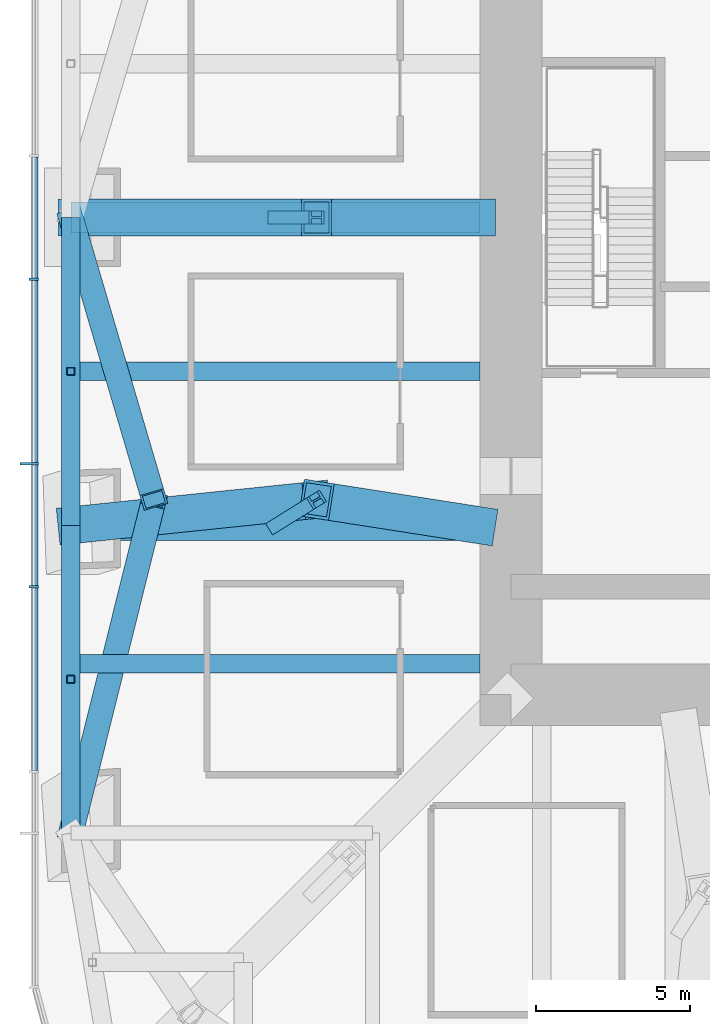
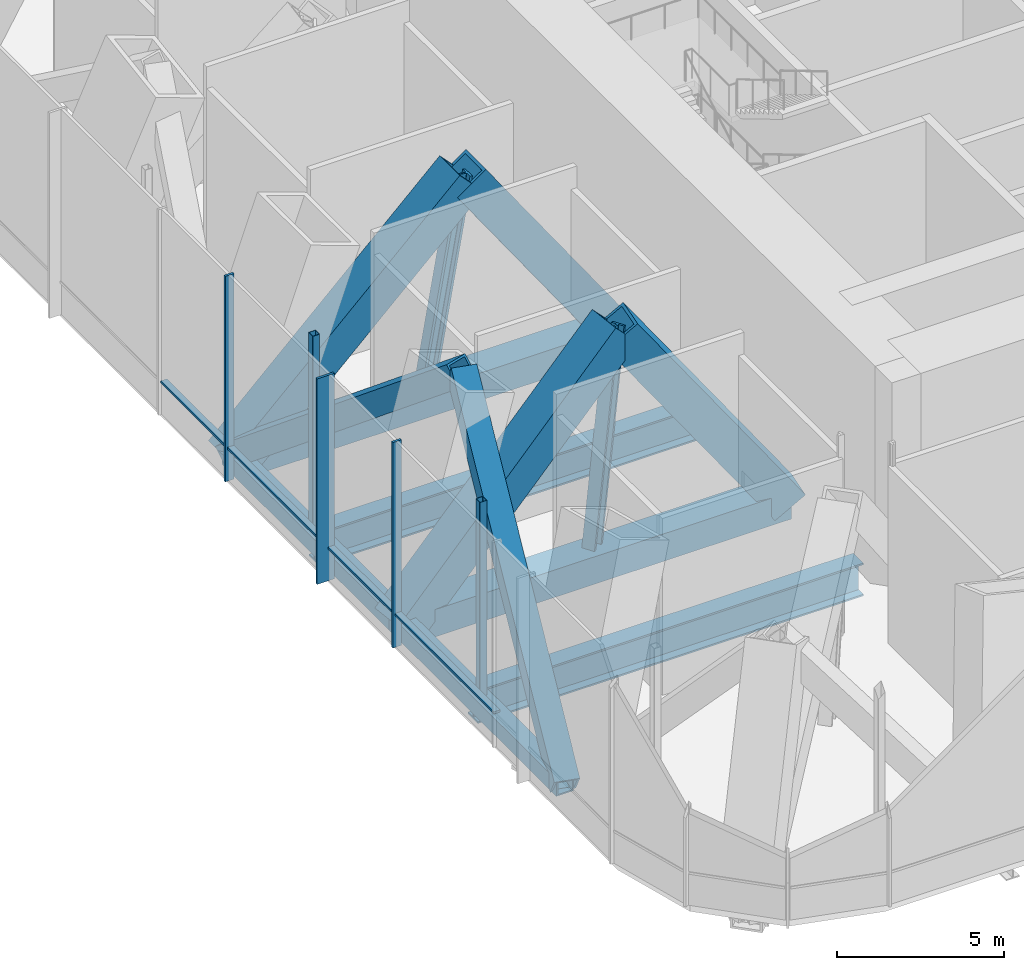
# One storey, part 3 of 20: 21 members, 2 beams, 1 element without a shape of its own.
"""IFC4 building model written with IfcOpenShell, lengths in metres."""

import ifcopenshell
import ifcopenshell.guid

model = None  # the IFC model being written
_history = None  # IfcOwnerHistory: only IFC2X3 demands one
_inside = {}  # id of a spatial element -> (the spatial element, [elements in it])
_under = {}  # id of a project, library or spatial element -> (it, [spatial elements below it])
_declared = {}  # id of a project -> (the project, [libraries it declares])
_typed = {}  # id of a type object -> (the type object, [elements of that type])
_made_of = {}  # id of a material, layer set ... -> (it, [elements and type objects made of it])


def new_model(schema):
    """Start an empty IFC model of exactly this schema.

    Asked for "IFC4X3", IfcOpenShell would pick the latest addendum, in which some entities
    have other attributes; the version numbers below select the first issue.
    IFC2X3 requires an IfcOwnerHistory on every rooted entity: one is made here for all.
    """
    global model, _history
    if schema == "IFC4X3":
        model = ifcopenshell.file(schema_version=(4, 3, 0, 0))
    else:
        model = ifcopenshell.file(schema=schema)
    _inside.clear()
    _under.clear()
    _declared.clear()
    _typed.clear()
    _made_of.clear()
    _history = None
    if model.schema == "IFC2X3":
        org = make("IfcOrganization", Name="unknown")
        user = make(
            "IfcPersonAndOrganization",
            ThePerson=make("IfcPerson", FamilyName="unknown"),
            TheOrganization=org,
        )
        app = make(
            "IfcApplication",
            ApplicationDeveloper=org,
            Version="unknown",
            ApplicationFullName="unknown",
            ApplicationIdentifier="unknown",
        )
        _history = make(
            "IfcOwnerHistory",
            OwningUser=user,
            OwningApplication=app,
            ChangeAction="ADDED",
            CreationDate=0,
        )
    return model


def make(cls, **values):
    """One entity of the class cls with the attributes given. An attribute that is None is left unset."""
    return model.create_entity(
        cls, **{name: value for name, value in values.items() if value is not None}
    )


def rooted(cls, **values):
    """An entity with a GlobalId (a new one), such as an element, a storey or a relation."""
    return make(cls, GlobalId=ifcopenshell.guid.new(), OwnerHistory=_history, **values)


def si_unit(unit_type, name, prefix=None):
    """IfcSIUnit, for example si_unit("LENGTHUNIT", "METRE", prefix="MILLI")."""
    return make("IfcSIUnit", UnitType=unit_type, Prefix=prefix, Name=name)


def assignment(units):
    """IfcUnitAssignment: the units of a project."""
    return None if units is None else make("IfcUnitAssignment", Units=units)


def point(xyz):
    """IfcCartesianPoint."""
    return None if xyz is None else make("IfcCartesianPoint", Coordinates=xyz)


def direction(xyz):
    """IfcDirection."""
    return None if xyz is None else make("IfcDirection", DirectionRatios=xyz)


def frame(location, z_axis=None, x_axis=None):
    """IfcAxis2Placement3D, a coordinate frame: its origin and axes. An axis left out is left unset."""
    return make(
        "IfcAxis2Placement3D",
        Location=point(location),
        Axis=direction(z_axis),
        RefDirection=direction(x_axis),
    )


def frame_2d(location, x_axis=None):
    """IfcAxis2Placement2D, a coordinate frame in the plane: its origin and x axis."""
    return make(
        "IfcAxis2Placement2D", Location=point(location), RefDirection=direction(x_axis)
    )


def origin():
    """The frame at (0, 0, 0) with its axes left unset."""
    return frame((0.0, 0.0, 0.0))


def origin_2d():
    """The frame at (0, 0) in the plane with its x axis left unset."""
    return frame_2d((0.0, 0.0))


def place(relative_to, where):
    """IfcLocalPlacement: puts the frame where relative to a parent placement (None: the world)."""
    return make(
        "IfcLocalPlacement", PlacementRelTo=relative_to, RelativePlacement=where
    )


def context(
    kind, dimensions, precision=None, world=None, true_north=None, identifier=None
):
    """IfcGeometricRepresentationContext, for example the 3D "Model" context."""
    return make(
        "IfcGeometricRepresentationContext",
        ContextIdentifier=identifier,
        ContextType=kind,
        CoordinateSpaceDimension=dimensions,
        Precision=precision,
        WorldCoordinateSystem=world,
        TrueNorth=true_north,
    )


def subcontext(parent, identifier, kind, view, scale=None):
    """IfcGeometricRepresentationSubContext, for example "Body" below "Model"."""
    return make(
        "IfcGeometricRepresentationSubContext",
        ContextIdentifier=identifier,
        ContextType=kind,
        ParentContext=parent,
        TargetScale=scale,
        TargetView=view,
    )


def project(units=None, contexts=None):
    """IfcProject with its units and contexts."""
    return rooted(
        "IfcProject",
        Name="project",
        RepresentationContexts=contexts,
        UnitsInContext=assignment(units),
    )


def spatial(cls, under=None, at=None, **own):
    """A site, building, storey or space (cls), placed at a placement, below another one or the project."""
    s = rooted(cls, ObjectPlacement=at, **own)
    if under is not None:
        _under.setdefault(under.id(), (under, []))[1].append(s)
    return s


def profile(cls, at=None, kind="AREA", **sizes):
    """A parametric profile (cls). Its sizes go by their IFC names, for example OverallWidth=200.0."""
    return make(cls, ProfileType=kind, Position=at, **sizes)


def rectangle(**sizes):
    """IfcRectangleProfileDef."""
    return profile("IfcRectangleProfileDef", **sizes)


def hollow_rectangle(**sizes):
    """IfcRectangleHollowProfileDef."""
    return profile("IfcRectangleHollowProfileDef", **sizes)


def i_section(**sizes):
    """IfcIShapeProfileDef."""
    return profile("IfcIShapeProfileDef", **sizes)


def extrude(swept, where, along, depth):
    """IfcExtrudedAreaSolid: the profile swept, set in the frame where, extruded along a direction by depth."""
    return make(
        "IfcExtrudedAreaSolid",
        SweptArea=swept,
        Position=where,
        ExtrudedDirection=direction(along),
        Depth=depth,
    )


def shape(context_of_items, identifier, shape_type, items):
    """IfcShapeRepresentation: the items that make up one representation, for example the "Body"."""
    return make(
        "IfcShapeRepresentation",
        ContextOfItems=context_of_items,
        RepresentationIdentifier=identifier,
        RepresentationType=shape_type,
        Items=items,
    )


def material(Name=None, Category=None):
    """IfcMaterial."""
    return make("IfcMaterial", Name=Name, Category=Category)


def material_profile(
    of_material, cross_section, Name=None, Category=None, Priority=None
):
    """IfcMaterialProfile: a cross section and its material."""
    return make(
        "IfcMaterialProfile",
        Name=Name,
        Material=of_material,
        Profile=cross_section,
        Priority=Priority,
        Category=Category,
    )


def profile_set(profiles, Name=None, composite=None):
    """IfcMaterialProfileSet."""
    return make(
        "IfcMaterialProfileSet",
        Name=Name,
        MaterialProfiles=profiles,
        CompositeProfile=composite,
    )


def made_of(thing, what):
    """Note that an element or type object is made of a material, layer set ...; save() writes the relation."""
    if what is not None:
        _made_of.setdefault(what.id(), (what, []))[1].append(thing)
    return thing


def type_object(cls, material=None, **own):
    """A type object (cls), such as IfcWallType, which elements share."""
    return made_of(rooted(cls, **own), material)


def element(
    cls,
    number,
    at=None,
    inside=None,
    cuts=None,
    type_object=None,
    material=None,
    context=None,
    identifier="Body",
    shape_type=None,
    held_by="IfcProductDefinitionShape",
    body=None,
    shapes=None,
    **own,
):
    """One element of the class cls, such as IfcWall. Its Tag is "e" and its number.

    at: its placement. inside: the storey or other place that contains it. cuts: it is an
    opening in that element (IfcRelVoidsElement). A single representation is given by context,
    identifier, shape_type and body (its items); several are given by shapes. held_by: the class
    of the entity that holds the representations. save() writes the other relations.
    """
    e = rooted(cls, Tag="e%d" % number, ObjectPlacement=at, **own)
    if body is not None:
        shapes = [shape(context, identifier, shape_type, body)]
    if shapes is not None:
        e.Representation = make(held_by, Representations=shapes)
    if inside is not None:
        _inside.setdefault(inside.id(), (inside, []))[1].append(e)
    if cuts is not None:
        rooted(
            "IfcRelVoidsElement", RelatingBuildingElement=cuts, RelatedOpeningElement=e
        )
    if type_object is not None:
        _typed.setdefault(type_object.id(), (type_object, []))[1].append(e)
    return made_of(e, material)


def aggregate(whole, parts):
    """IfcRelAggregates: a whole, such as a stair, and the parts it consists of."""
    return rooted("IfcRelAggregates", RelatingObject=whole, RelatedObjects=parts)


def save(model, path):
    """Write the relations noted so far, then the file.

    IfcRelAggregates (storeys below a building ...), IfcRelContainedInSpatialStructure (elements
    in a storey), IfcRelDefinesByType, IfcRelAssociatesMaterial and IfcRelDeclares: one each for
    every whole, place, type object, material and project.
    """
    for whole, parts in _under.values():
        aggregate(whole, parts)
    for where, things in _inside.values():
        rooted(
            "IfcRelContainedInSpatialStructure",
            RelatedElements=things,
            RelatingStructure=where,
        )
    for kind, things in _typed.values():
        rooted("IfcRelDefinesByType", RelatedObjects=things, RelatingType=kind)
    for what, things in _made_of.values():
        rooted("IfcRelAssociatesMaterial", RelatedObjects=things, RelatingMaterial=what)
    for by, libraries in _declared.values():
        rooted("IfcRelDeclares", RelatingContext=by, RelatedDefinitions=libraries)
    model.write(path)


model = new_model("IFC4")

# Units and contexts
model_context = context("Model", 3, precision=1e-05, world=origin(), true_north=direction((0.0, 1.0)))
body_context = subcontext(model_context, "Body", "Model", "MODEL_VIEW")
ifc_project = project(units=[si_unit("LENGTHUNIT", "METRE"), si_unit("AREAUNIT", "SQUARE_METRE"), si_unit("VOLUMEUNIT", "CUBIC_METRE"), si_unit("PLANEANGLEUNIT", "RADIAN"), si_unit("MASSUNIT", "GRAM", prefix="KILO")], contexts=[model_context])

# Site, building, storey
site_placement = place(None, origin())
site = spatial("IfcSite", under=ifc_project, at=site_placement, CompositionType="ELEMENT")
building_placement = place(site_placement, origin())
building = spatial("IfcBuilding", under=site, at=building_placement, Name="Khuree Lantern Residences", CompositionType="ELEMENT")
storey_placement = place(building_placement, frame((0.0, 0.0, 99.75)))
storey = spatial("IfcBuildingStorey", under=building, at=storey_placement, Name="L25", CompositionType="ELEMENT", Elevation=99.75)

# Beams
ifc_material_1 = material(Name="Steel S355", Category="steel")
ifc_material_profile_1 = material_profile(ifc_material_1, i_section(OverallWidth=0.60009765625, OverallDepth=1.199951171875, WebThickness=0.030029296875, FlangeThickness=0.06005859375, at=origin_2d()), Name="WELDED I 1200X600X30X60")
ifc_profile_set_1 = profile_set([ifc_material_profile_1], Name="Steel S355")
beam_type = type_object("IfcBeamType", Name="B-25 SECONDARY BEAM WELDED I 1200X600X30X60", PredefinedType="BEAM", material=ifc_profile_set_1)
for number, where, z_axis, x_axis, name in (
    (1, (-29.800048828125, -14.5, -0.949951171875), (1.0, 0.0, 0.0), (0.0, 1.0, 0.0), "Secondary beam W2"),
    (2, (-29.800048828125, -5.0, -0.949951171875), (1.0, 0.0, 0.0), (0.0, 1.0, 0.0), "Secondary beam W3"),
):
    element("IfcBeam", number, at=place(storey_placement, frame(where, z_axis=z_axis, x_axis=x_axis)), inside=storey, type_object=beam_type, Name=name, PredefinedType="BEAM", context=body_context, shape_type="SweptSolid", body=[
        extrude(i_section(OverallWidth=0.60009765625, OverallDepth=1.199951171875, WebThickness=0.030029296875, FlangeThickness=0.06005859375, at=origin_2d()), origin(), (0.0, 0.0, 1.0), 13.300048828125),
    ])

# Members
ifc_material_profile_2 = material_profile(ifc_material_1, hollow_rectangle(XDim=0.800048828125, YDim=0.800048828125, WallThickness=0.070068359375, at=origin_2d()), Name="WELDED BOX 800X800X70")
ifc_profile_set_2 = profile_set([ifc_material_profile_2], Name="Steel S355")
member_type_1 = type_object("IfcMemberType", Name="BD-25 BELT TRUSS DIAGONAL WELDED BOX 800X800X70", PredefinedType="BRACE", material=ifc_profile_set_2)
member_1_placement = place(storey_placement, frame((-29.800048828125, -20.0, -0.64990234375), z_axis=(0.199829234991, 0.802298387089, 0.562481621849), x_axis=(-0.970354244709, 0.241687069936, 0.0)))
element("IfcMember", 3, at=member_1_placement, inside=storey, type_object=member_type_1, Name="Belt truss diagonal W2", PredefinedType="BRACE", context=body_context, shape_type="SweptSolid", body=[
    extrude(hollow_rectangle(XDim=0.800048828125, YDim=0.800048828125, WallThickness=0.070068359375, at=origin_2d()), origin(), (0.0, 0.0, 1.0), 13.51123046875),
])
member_2_placement = place(storey_placement, frame((-27.10009765625, -9.159912109375, 6.949951171875), z_axis=(-0.22122462626, 0.750531400006, -0.622705614509), x_axis=(-0.959199239774, -0.282731000098, 0.0)))
element("IfcMember", 4, at=member_2_placement, inside=storey, type_object=member_type_1, Name="Belt truss diagonal W3", PredefinedType="BRACE", context=body_context, shape_type="SweptSolid", body=[
    extrude(hollow_rectangle(XDim=0.800048828125, YDim=0.800048828125, WallThickness=0.070068359375, at=origin_2d()), origin(), (0.0, 0.0, 1.0), 12.20458984375),
])
ifc_material_profile_3 = material_profile(ifc_material_1, hollow_rectangle(XDim=0.60009765625, YDim=0.60009765625, WallThickness=0.050048828125, at=origin_2d()), Name="WELDED BOX 600X600X50")
ifc_profile_set_3 = profile_set([ifc_material_profile_3], Name="Steel S355")
member_type_2 = type_object("IfcMemberType", Name="BT-25 BELT TRUSS CHORD WELDED BOX 600X600X50", PredefinedType="CHORD", material=ifc_profile_set_3)
for number, where, z_axis, x_axis, name in (
    (5, (-29.800048828125, -20.0, -0.64990234375), (0.0, 1.0, 0.0), (-1.0, 0.0, 0.0), "Belt truss chord W2"),
    (6, (-29.800048828125, -10.0, -0.64990234375), (0.0, 1.0, 0.0), (-1.0, 0.0, 0.0), "Belt truss chord W3"),
):
    element("IfcMember", number, at=place(storey_placement, frame(where, z_axis=z_axis, x_axis=x_axis)), inside=storey, type_object=member_type_2, Name=name, PredefinedType="CHORD", context=body_context, shape_type="SweptSolid", body=[
        extrude(hollow_rectangle(XDim=0.60009765625, YDim=0.60009765625, WallThickness=0.050048828125, at=origin_2d()), origin(), (0.0, 0.0, 1.0), 10.0),
    ])

# Curtain wall, members
ifc_material_2 = material(Name="Bronze anodised aluminium", Category="aluminium")
curtain_wall_type = type_object("IfcCurtainWallType", Name="CW-G PLANT STOREY LOUVRED CURTAIN WALL", PredefinedType="USERDEFINED", material=ifc_material_2)
curtain_wall_placement = place(storey_placement, origin())
curtain_wall = element("IfcCurtainWall", 7, at=curtain_wall_placement, inside=storey, type_object=curtain_wall_type, Name="L25 WEST FACE CURTAIN WALL", ObjectType="Louvred curtain wall", PredefinedType="USERDEFINED")
ifc_material_profile_4 = material_profile(ifc_material_2, rectangle(XDim=0.080078125, YDim=0.60009765625, at=origin_2d()), Name="F2 80X600")
ifc_profile_set_4 = profile_set([ifc_material_profile_4], Name="Bronze anodised aluminium")
member_type_3 = type_object("IfcMemberType", Name="F2 BRONZE FIN MULLION PLANT 80X600", PredefinedType="MULLION", material=ifc_profile_set_4)
member_3_placement = place(storey_placement, frame((-31.14990234375, -8.0, 0.0), z_axis=(0.0, 0.0, 1.0), x_axis=(0.0, -1.0, 0.0)))
member_3 = element("IfcMember", 8, at=member_3_placement, type_object=member_type_3, Name="L25 WEST FACE FIN MULLION 39", PredefinedType="MULLION", context=body_context, shape_type="SweptSolid", body=[
    extrude(rectangle(XDim=0.080078125, YDim=0.60009765625, at=origin_2d()), origin(), (0.0, 0.0, 1.0), 7.5),
])
ifc_material_profile_5 = material_profile(ifc_material_2, rectangle(XDim=0.080078125, YDim=0.300048828125, at=origin_2d()), Name="M2 80X300")
ifc_profile_set_5 = profile_set([ifc_material_profile_5], Name="Bronze anodised aluminium")
member_type_4 = type_object("IfcMemberType", Name="MULLION M2 PLANT 80X300", PredefinedType="MULLION", material=ifc_profile_set_5)
member_4_placement = place(storey_placement, frame((-31.0, -2.0, 0.0), z_axis=(0.0, 0.0, 1.0), x_axis=(0.0, -1.0, 0.0)))
member_4 = element("IfcMember", 9, at=member_4_placement, type_object=member_type_4, Name="L25 WEST FACE MULLION 38", PredefinedType="MULLION", context=body_context, shape_type="SweptSolid", body=[
    extrude(rectangle(XDim=0.080078125, YDim=0.300048828125, at=origin_2d()), origin(), (0.0, 0.0, 1.0), 7.5),
])
member_5_placement = place(storey_placement, frame((-31.0, -12.0, 0.0), z_axis=(0.0, 0.0, 1.0), x_axis=(0.0, -1.0, 0.0)))
member_5 = element("IfcMember", 10, at=member_5_placement, type_object=member_type_4, Name="L25 WEST FACE MULLION 40", PredefinedType="MULLION", context=body_context, shape_type="SweptSolid", body=[
    extrude(rectangle(XDim=0.080078125, YDim=0.300048828125, at=origin_2d()), origin(), (0.0, 0.0, 1.0), 7.5),
])

# Members
ifc_material_profile_6 = material_profile(ifc_material_1, hollow_rectangle(XDim=1.199951171875, YDim=1.199951171875, WallThickness=0.10009765625, at=origin_2d()), Name="WELDED BOX 1200X1200X100")
ifc_profile_set_6 = profile_set([ifc_material_profile_6], Name="Steel S355")
member_type_5 = type_object("IfcMemberType", Name="OD-25 OUTRIGGER TRUSS DIAGONAL WELDED BOX 1200X1200X100", PredefinedType="BRACE", material=ifc_profile_set_6)
member_6_placement = place(storey_placement, frame((-16.5, -10.0, -0.85009765625), z_axis=(-0.571028170987, 0.089001957603, 0.81609158768), x_axis=(-0.154003250743, -0.988070340998, 0.0)))
element("IfcMember", 11, at=member_6_placement, inside=storey, type_object=member_type_5, Name="Outrigger diagonal W2 core side", PredefinedType="BRACE", context=body_context, shape_type="SweptSolid", body=[
    extrude(hollow_rectangle(XDim=1.199951171875, YDim=1.199951171875, WallThickness=0.10009765625, at=origin_2d()), origin(), (0.0, 0.0, 1.0), 9.312744140625),
])
member_7_placement = place(storey_placement, frame((-21.81787109375, -9.171142578125, 6.75), z_axis=(-0.722188208122, -0.074990945606, -0.687619480619), x_axis=(0.103283178244, -0.994651991951, 0.0)))
element("IfcMember", 12, at=member_7_placement, inside=storey, type_object=member_type_5, Name="Outrigger diagonal W2 column side", PredefinedType="BRACE", context=body_context, shape_type="SweptSolid", body=[
    extrude(hollow_rectangle(XDim=1.199951171875, YDim=1.199951171875, WallThickness=0.10009765625, at=origin_2d()), origin(), (0.0, 0.0, 1.0), 11.052734375),
])
member_8_placement = place(storey_placement, frame((-16.5, 0.0, -0.85009765625), z_axis=(-0.573303353391, 0.0, 0.819343191215), x_axis=(0.0, -1.0, 0.0)))
element("IfcMember", 13, at=member_8_placement, inside=storey, type_object=member_type_5, Name="Outrigger diagonal W3 core side", PredefinedType="BRACE", context=body_context, shape_type="SweptSolid", body=[
    extrude(hollow_rectangle(XDim=1.199951171875, YDim=1.199951171875, WallThickness=0.10009765625, at=origin_2d()), origin(), (0.0, 0.0, 1.0), 9.27587890625),
])
member_9_placement = place(storey_placement, frame((-21.81787109375, 0.0, 6.75), z_axis=(-0.724227477195, 0.0, -0.689561136721), x_axis=(0.0, -1.0, 0.0)))
element("IfcMember", 14, at=member_9_placement, inside=storey, type_object=member_type_5, Name="Outrigger diagonal W3 column side", PredefinedType="BRACE", context=body_context, shape_type="SweptSolid", body=[
    extrude(hollow_rectangle(XDim=1.199951171875, YDim=1.199951171875, WallThickness=0.10009765625, at=origin_2d()), origin(), (0.0, 0.0, 1.0), 11.021728515625),
])
ifc_material_profile_7 = material_profile(ifc_material_1, i_section(OverallWidth=0.431884765625, OverallDepth=0.498046875, WebThickness=0.0556640625, FlangeThickness=0.0888671875, FilletRadius=0.014892578125, at=origin_2d()), Name="HD 400X744")
ifc_profile_set_7 = profile_set([ifc_material_profile_7], Name="Steel S355")
member_type_6 = type_object("IfcMemberType", Name="OP-25 OUTRIGGER TRUSS POST HD 400X744", PredefinedType="POST", material=ifc_profile_set_7)
member_10_placement = place(storey_placement, frame((-23.14990234375, -10.0, -0.85009765625), z_axis=(0.171646105966, 0.106806915278, 0.979351773958), x_axis=(-0.528319337489, 0.849045745314, 0.0)))
element("IfcMember", 15, at=member_10_placement, inside=storey, type_object=member_type_6, Name="Outrigger post W2", PredefinedType="POST", context=body_context, shape_type="SweptSolid", body=[
    extrude(i_section(OverallWidth=0.431884765625, OverallDepth=0.498046875, WebThickness=0.0556640625, FlangeThickness=0.0888671875, FilletRadius=0.014892578125, at=origin_2d()), origin(), (0.0, 0.0, 1.0), 7.76025390625),
])
member_11_placement = place(storey_placement, frame((-23.14990234375, 0.0, -0.85009765625), z_axis=(0.172633608015, 0.0, 0.984986110249), x_axis=(0.0, 1.0, 0.0)))
element("IfcMember", 16, at=member_11_placement, inside=storey, type_object=member_type_6, Name="Outrigger post W3", PredefinedType="POST", context=body_context, shape_type="SweptSolid", body=[
    extrude(i_section(OverallWidth=0.431884765625, OverallDepth=0.498046875, WebThickness=0.0556640625, FlangeThickness=0.0888671875, FilletRadius=0.014892578125, at=origin_2d()), origin(), (0.0, 0.0, 1.0), 7.716064453125),
])
ifc_material_profile_8 = material_profile(ifc_material_1, hollow_rectangle(XDim=1.0, YDim=1.0, WallThickness=0.080078125, at=origin_2d()), Name="WELDED BOX 1000X1000X80")
ifc_profile_set_8 = profile_set([ifc_material_profile_8], Name="Steel S355")
member_type_7 = type_object("IfcMemberType", Name="OT-25 OUTRIGGER TRUSS CHORD WELDED BOX 1000X1000X80", PredefinedType="CHORD", material=ifc_profile_set_8)
for number, where, z_axis, x_axis, name in (
    (17, (-29.800048828125, -10.0, -0.85009765625), (1.0, 0.0, 0.0), (0.0, 1.0, 0.0), "Outrigger chord W2"),
    (18, (-29.800048828125, 0.0, -0.85009765625), (1.0, 0.0, 0.0), (0.0, 1.0, 0.0), "Outrigger chord W3"),
):
    element("IfcMember", number, at=place(storey_placement, frame(where, z_axis=z_axis, x_axis=x_axis)), inside=storey, type_object=member_type_7, Name=name, PredefinedType="CHORD", context=body_context, shape_type="SweptSolid", body=[
        extrude(hollow_rectangle(XDim=1.0, YDim=1.0, WallThickness=0.080078125, at=origin_2d()), origin(), (0.0, 0.0, 1.0), 13.300048828125),
    ])
ifc_material_profile_9 = material_profile(ifc_material_1, hollow_rectangle(XDim=0.25, YDim=0.25, WallThickness=0.012451171875, InnerFilletRadius=0.012451171875, OuterFilletRadius=0.018798828125, at=origin_2d()), Name="SHS 250X250X12.5")
ifc_profile_set_9 = profile_set([ifc_material_profile_9], Name="Steel S355")
member_type_8 = type_object("IfcMemberType", Name="TP1 TERRACE POST SHS 250X250X12.5", PredefinedType="POST", material=ifc_profile_set_9)
for number, where, z_axis, x_axis, name in (
    (19, (-29.800048828125, -15.0, -0.35009765625), (0.0, 0.0, 1.0), (1.0, 0.0, 0.0), "Terrace post W2"),
    (20, (-29.800048828125, -5.0, -0.35009765625), (0.0, 0.0, 1.0), (1.0, 0.0, 0.0), "Terrace post W3"),
):
    element("IfcMember", number, at=place(storey_placement, frame(where, z_axis=z_axis, x_axis=x_axis)), inside=storey, type_object=member_type_8, Name=name, PredefinedType="POST", context=body_context, shape_type="SweptSolid", body=[
        extrude(hollow_rectangle(XDim=0.25, YDim=0.25, WallThickness=0.012451171875, InnerFilletRadius=0.012451171875, OuterFilletRadius=0.018798828125, at=origin_2d()), origin(), (0.0, 0.0, 1.0), 7.10009765625),
    ])

# Member
ifc_material_profile_10 = material_profile(ifc_material_2, rectangle(XDim=0.219970703125, YDim=0.080078125, at=origin_2d()), Name="T2 220X80")
ifc_profile_set_10 = profile_set([ifc_material_profile_10], Name="Bronze anodised aluminium")
member_type_9 = type_object("IfcMemberType", Name="TRANSOM T2 PLANT 220X80", PredefinedType="USERDEFINED", material=ifc_profile_set_10)
member_12_placement = place(storey_placement, frame((-30.969970703125, 1.9599609375, 1.199951171875), z_axis=(0.0, -1.0, 0.0), x_axis=(1.0, 0.0, 0.0)))
member_12 = element("IfcMember", 21, at=member_12_placement, type_object=member_type_9, Name="L25 WEST FACE TRANSOM 37.1", ObjectType="Transom", PredefinedType="USERDEFINED", context=body_context, shape_type="SweptSolid", body=[
    extrude(rectangle(XDim=0.219970703125, YDim=0.080078125, at=origin_2d()), origin(), (0.0, 0.0, 1.0), 3.919921875),
])

member_13_placement = place(storey_placement, frame((-30.969970703125, -2.0400390625, 1.199951171875), z_axis=(0.0, -1.0, 0.0), x_axis=(1.0, 0.0, 0.0)))
member_13 = element("IfcMember", 22, at=member_13_placement, type_object=member_type_9, Name="L25 WEST FACE TRANSOM 38.1", ObjectType="Transom", PredefinedType="USERDEFINED", context=body_context, shape_type="SweptSolid", body=[
    extrude(rectangle(XDim=0.219970703125, YDim=0.080078125, at=origin_2d()), origin(), (0.0, 0.0, 1.0), 5.919921875),
])

member_14_placement = place(storey_placement, frame((-30.969970703125, -8.0400390625, 1.199951171875), z_axis=(0.0, -1.0, 0.0), x_axis=(1.0, 0.0, 0.0)))
member_14 = element("IfcMember", 23, at=member_14_placement, type_object=member_type_9, Name="L25 WEST FACE TRANSOM 39.1", ObjectType="Transom", PredefinedType="USERDEFINED", context=body_context, shape_type="SweptSolid", body=[
    extrude(rectangle(XDim=0.219970703125, YDim=0.080078125, at=origin_2d()), origin(), (0.0, 0.0, 1.0), 3.919921875),
])

member_15_placement = place(storey_placement, frame((-30.969970703125, -12.0400390625, 1.199951171875), z_axis=(0.0, -1.0, 0.0), x_axis=(1.0, 0.0, 0.0)))
member_15 = element("IfcMember", 24, at=member_15_placement, type_object=member_type_9, Name="L25 WEST FACE TRANSOM 40.1", ObjectType="Transom", PredefinedType="USERDEFINED", context=body_context, shape_type="SweptSolid", body=[
    extrude(rectangle(XDim=0.219970703125, YDim=0.080078125, at=origin_2d()), origin(), (0.0, 0.0, 1.0), 5.919921875),
])

aggregate(curtain_wall, [member_4, member_3, member_5, member_12, member_13, member_14, member_15])

save(model, "model.ifc")
